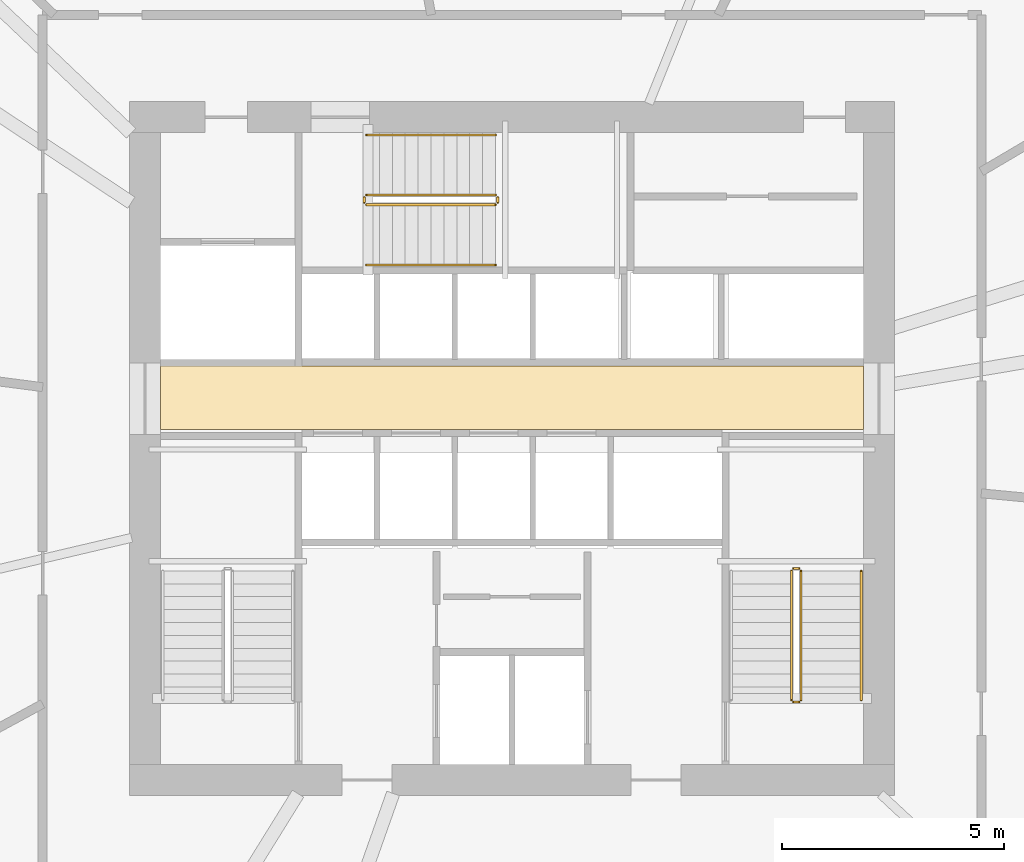
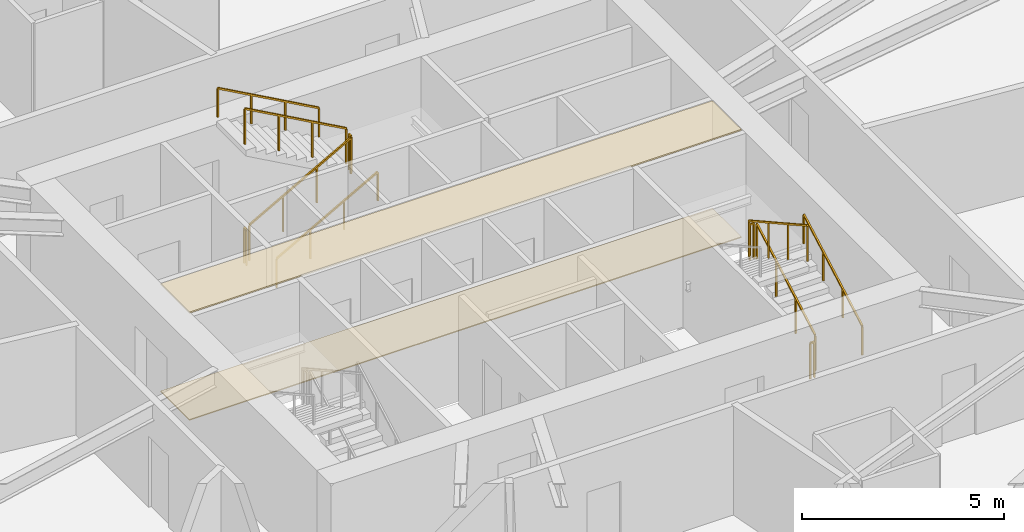
# One storey, part 20 of 21: 11 railings, 2 coverings.
"""IFC4 building model written with IfcOpenShell, lengths in metres."""

from ifc_helpers import new_model, si_unit, direction, frame, origin, origin_2d, place, context, subcontext, project, spatial, polyline, rectangle, outline, extrude, material, layer, layer_set, type_object, element, save


model = new_model("IFC4")

# Units and contexts
model_context = context("Model", 3, precision=1e-05, world=origin(), true_north=direction((0.0, 1.0)))
body_context = subcontext(model_context, "Body", "Model", "MODEL_VIEW")
ifc_project = project(units=[si_unit("LENGTHUNIT", "METRE"), si_unit("AREAUNIT", "SQUARE_METRE"), si_unit("VOLUMEUNIT", "CUBIC_METRE"), si_unit("PLANEANGLEUNIT", "RADIAN"), si_unit("MASSUNIT", "GRAM", prefix="KILO")], contexts=[model_context])

# Site, building, storey
site_placement = place(None, origin())
site = spatial("IfcSite", under=ifc_project, at=site_placement, CompositionType="ELEMENT")
building_placement = place(site_placement, origin())
building = spatial("IfcBuilding", under=site, at=building_placement, Name="Olszyna Solenne Hotel", CompositionType="ELEMENT")
storey_placement = place(building_placement, frame((0.0, 0.0, 91.5)))
storey = spatial("IfcBuildingStorey", under=building, at=storey_placement, Name="L23", CompositionType="ELEMENT", Elevation=91.5)

# Coverings
ifc_material_1 = material(Name="Mineral wool acoustic ceiling")
ifc_layer_1 = layer(ifc_material_1, 0.0400390625, Name="Mineral wool acoustic ceiling")
ifc_layer_set_1 = layer_set([ifc_layer_1], Name="Mineral wool acoustic ceiling")
covering_type_1 = type_object("IfcCoveringType", Name="CL-AC1", PredefinedType="CEILING", material=ifc_layer_set_1)
covering_1_placement = place(storey_placement, frame((0.0, 0.0, 3.239990234375)))
element("IfcCovering", 1, at=covering_1_placement, inside=storey, type_object=covering_type_1, Name="Lift lobby acoustic tile ceiling CL-L23-01", PredefinedType="CEILING", context=body_context, shape_type="SweptSolid", body=[
    extrude(outline(polyline([(30.10009765625, 27.030029296875), (45.89990234375, 27.030029296875), (45.89990234375, 28.4599609375), (30.10009765625, 28.4599609375), (30.10009765625, 27.030029296875)])), origin(), (0.0, 0.0, 1.0), 0.0400390625),
])
ifc_material_2 = material(Name="Ceramic floor tile")
ifc_layer_2 = layer(ifc_material_2, 0.030029296875, Name="Ceramic floor tile")
ifc_layer_set_2 = layer_set([ifc_layer_2], Name="Ceramic floor tile")
covering_type_2 = type_object("IfcCoveringType", Name="FL-TL1", PredefinedType="FLOORING", material=ifc_layer_set_2)
covering_2_placement = place(storey_placement, origin())
element("IfcCovering", 2, at=covering_2_placement, inside=storey, type_object=covering_type_2, Name="Lift lobby stoneware floor finish FLR-L23-01", PredefinedType="FLOORING", context=body_context, shape_type="SweptSolid", body=[
    extrude(outline(polyline([(30.10009765625, 27.030029296875), (45.89990234375, 27.030029296875), (45.89990234375, 28.4599609375), (30.10009765625, 28.4599609375), (30.10009765625, 27.030029296875)])), origin(), (0.0, 0.0, 1.0), 0.030029296875),
])

# Railings
ifc_material_3 = material(Name="Anodised bronze aluminium", Category="aluminium")
railing_type_1 = type_object("IfcRailingType", Name="GR-110", PredefinedType="BALUSTRADE", material=ifc_material_3)
railing_1_placement = place(storey_placement, frame((44.5, 20.949951171875, 0.161376953125)))
element("IfcRailing", 3, at=railing_1_placement, inside=storey, type_object=railing_type_1, Name="L23 ST2 stair guard 1", PredefinedType="BALUSTRADE", context=body_context, shape_type="SweptSolid", body=[
    extrude(rectangle(XDim=0.048095703125, YDim=0.048095703125, at=origin_2d()), frame((0.0, 0.0, 1.076171875), z_axis=(0.0, 0.873858693841, 0.486179990537), x_axis=(-1.0, 0.0, 0.0)), (0.0, 0.0, 1.0), 3.31884765625),
    extrude(rectangle(XDim=0.0419921875, YDim=0.0419921875, at=origin_2d()), origin(), (0.0, 0.0, 1.0), 1.052001953125),
    extrude(rectangle(XDim=0.0419921875, YDim=0.0419921875, at=origin_2d()), frame((0.0, 0.966796875, 0.537841796875)), (0.0, 0.0, 1.0), 1.052001953125),
    extrude(rectangle(XDim=0.0419921875, YDim=0.0419921875, at=origin_2d()), frame((0.0, 1.933349609375, 1.07568359375)), (0.0, 0.0, 1.0), 1.052001953125),
    extrude(rectangle(XDim=0.0419921875, YDim=0.0419921875, at=origin_2d()), frame((0.0, 2.900146484375, 1.613525390625)), (0.0, 0.0, 1.0), 1.052001953125),
])
railing_2_placement = place(storey_placement, frame((44.449951171875, 23.89990234375, 1.77490234375)))
element("IfcRailing", 4, at=railing_2_placement, inside=storey, type_object=railing_type_1, Name="L23 ST2 stair guard 2", PredefinedType="BALUSTRADE", context=body_context, shape_type="SweptSolid", body=[
    extrude(rectangle(XDim=0.048095703125, YDim=0.048095703125, at=origin_2d()), frame((0.0, 0.0, 1.076171875), z_axis=(-1.0, 0.0, 0.0), x_axis=(0.0, -1.0, 0.0)), (0.0, 0.0, 1.0), 0.119873046875),
    extrude(rectangle(XDim=0.0419921875, YDim=0.0419921875, at=origin_2d()), origin(), (0.0, 0.0, 1.0), 1.052001953125),
    extrude(rectangle(XDim=0.0419921875, YDim=0.0419921875, at=origin_2d()), frame((-0.119873046875, 0.0, 0.0)), (0.0, 0.0, 1.0), 1.052001953125),
])
railing_3_placement = place(storey_placement, frame((44.280029296875, 23.85009765625, 1.936279296875)))
element("IfcRailing", 5, at=railing_3_placement, inside=storey, type_object=railing_type_1, Name="L23 ST2 stair guard 3", PredefinedType="BALUSTRADE", context=body_context, shape_type="SweptSolid", body=[
    extrude(rectangle(XDim=0.048095703125, YDim=0.048095703125, at=origin_2d()), frame((0.0, 0.0, 1.076171875), z_axis=(0.0, -0.873827439584, 0.48623616261), x_axis=(1.0, 0.0, 0.0)), (0.0, 0.0, 1.0), 3.31884765625),
    extrude(rectangle(XDim=0.0419921875, YDim=0.0419921875, at=origin_2d()), origin(), (0.0, 0.0, 1.0), 1.052001953125),
    extrude(rectangle(XDim=0.0419921875, YDim=0.0419921875, at=origin_2d()), frame((0.0, -0.966796875, 0.537841796875)), (0.0, 0.0, 1.0), 1.052001953125),
    extrude(rectangle(XDim=0.0419921875, YDim=0.0419921875, at=origin_2d()), frame((0.0, -1.933349609375, 1.075927734375)), (0.0, 0.0, 1.0), 1.052001953125),
    extrude(rectangle(XDim=0.0419921875, YDim=0.0419921875, at=origin_2d()), frame((0.0, -2.900146484375, 1.61376953125)), (0.0, 0.0, 1.0), 1.052001953125),
])
railing_4_placement = place(storey_placement, frame((44.449951171875, 20.89990234375, 0.0)))
element("IfcRailing", 6, at=railing_4_placement, inside=storey, type_object=railing_type_1, Name="L23 ST2 stair guard 4", PredefinedType="BALUSTRADE", context=body_context, shape_type="SweptSolid", body=[
    extrude(rectangle(XDim=0.048095703125, YDim=0.048095703125, at=origin_2d()), frame((0.0, 0.0, 1.076171875), z_axis=(-1.0, 0.0, 0.0), x_axis=(0.0, -1.0, 0.0)), (0.0, 0.0, 1.0), 0.119873046875),
    extrude(rectangle(XDim=0.0419921875, YDim=0.0419921875, at=origin_2d()), origin(), (0.0, 0.0, 1.0), 1.052001953125),
    extrude(rectangle(XDim=0.0419921875, YDim=0.0419921875, at=origin_2d()), frame((-0.119873046875, 0.0, 0.0)), (0.0, 0.0, 1.0), 1.052001953125),
])
railing_5_placement = place(storey_placement, frame((34.72998046875, 32.080078125, 0.161376953125)))
element("IfcRailing", 7, at=railing_5_placement, inside=storey, type_object=railing_type_1, Name="L23 ST3 stair guard 1", PredefinedType="BALUSTRADE", context=body_context, shape_type="SweptSolid", body=[
    extrude(rectangle(XDim=0.048095703125, YDim=0.048095703125, at=origin_2d()), frame((0.0, 0.0, 1.076171875), z_axis=(0.873841303929, 0.0, 0.486211245805), x_axis=(0.0, 1.0, 0.0)), (0.0, 0.0, 1.0), 3.318603515625),
    extrude(rectangle(XDim=0.0419921875, YDim=0.0419921875, at=origin_2d()), origin(), (0.0, 0.0, 1.0), 1.052001953125),
    extrude(rectangle(XDim=0.0419921875, YDim=0.0419921875, at=origin_2d()), frame((0.966552734375, 0.0, 0.537841796875)), (0.0, 0.0, 1.0), 1.052001953125),
    extrude(rectangle(XDim=0.0419921875, YDim=0.0419921875, at=origin_2d()), frame((1.933349609375, 0.0, 1.07568359375)), (0.0, 0.0, 1.0), 1.052001953125),
    extrude(rectangle(XDim=0.0419921875, YDim=0.0419921875, at=origin_2d()), frame((2.89990234375, 0.0, 1.613525390625)), (0.0, 0.0, 1.0), 1.052001953125),
])
railing_6_placement = place(storey_placement, frame((37.679931640625, 32.1298828125, 1.77490234375)))
element("IfcRailing", 8, at=railing_6_placement, inside=storey, type_object=railing_type_1, Name="L23 ST3 stair guard 2", PredefinedType="BALUSTRADE", context=body_context, shape_type="SweptSolid", body=[
    extrude(rectangle(XDim=0.048095703125, YDim=0.048095703125, at=origin_2d()), frame((0.0, 0.0, 1.076171875), z_axis=(0.0, 1.0, 0.0), x_axis=(-1.0, 0.0, 0.0)), (0.0, 0.0, 1.0), 0.1201171875),
    extrude(rectangle(XDim=0.0419921875, YDim=0.0419921875, at=origin_2d()), origin(), (0.0, 0.0, 1.0), 1.052001953125),
    extrude(rectangle(XDim=0.0419921875, YDim=0.0419921875, at=origin_2d()), frame((0.0, 0.1201171875, 0.0)), (0.0, 0.0, 1.0), 1.052001953125),
])
railing_7_placement = place(storey_placement, frame((37.6298828125, 32.300048828125, 1.936279296875)))
element("IfcRailing", 9, at=railing_7_placement, inside=storey, type_object=railing_type_1, Name="L23 ST3 stair guard 3", PredefinedType="BALUSTRADE", context=body_context, shape_type="SweptSolid", body=[
    extrude(rectangle(XDim=0.048095703125, YDim=0.048095703125, at=origin_2d()), frame((0.0, 0.0, 1.076171875), z_axis=(-0.873810046276, 0.0, 0.486267419253), x_axis=(0.0, -1.0, 0.0)), (0.0, 0.0, 1.0), 3.318603515625),
    extrude(rectangle(XDim=0.0419921875, YDim=0.0419921875, at=origin_2d()), origin(), (0.0, 0.0, 1.0), 1.052001953125),
    extrude(rectangle(XDim=0.0419921875, YDim=0.0419921875, at=origin_2d()), frame((-0.966552734375, 0.0, 0.537841796875)), (0.0, 0.0, 1.0), 1.052001953125),
    extrude(rectangle(XDim=0.0419921875, YDim=0.0419921875, at=origin_2d()), frame((-1.933349609375, 0.0, 1.075927734375)), (0.0, 0.0, 1.0), 1.052001953125),
    extrude(rectangle(XDim=0.0419921875, YDim=0.0419921875, at=origin_2d()), frame((-2.89990234375, 0.0, 1.61376953125)), (0.0, 0.0, 1.0), 1.052001953125),
])
railing_8_placement = place(storey_placement, frame((34.679931640625, 32.1298828125, 0.0)))
element("IfcRailing", 10, at=railing_8_placement, inside=storey, type_object=railing_type_1, Name="L23 ST3 stair guard 4", PredefinedType="BALUSTRADE", context=body_context, shape_type="SweptSolid", body=[
    extrude(rectangle(XDim=0.048095703125, YDim=0.048095703125, at=origin_2d()), frame((0.0, 0.0, 1.076171875), z_axis=(0.0, 1.0, 0.0), x_axis=(-1.0, 0.0, 0.0)), (0.0, 0.0, 1.0), 0.1201171875),
    extrude(rectangle(XDim=0.0419921875, YDim=0.0419921875, at=origin_2d()), origin(), (0.0, 0.0, 1.0), 1.052001953125),
    extrude(rectangle(XDim=0.0419921875, YDim=0.0419921875, at=origin_2d()), frame((0.0, 0.1201171875, 0.0)), (0.0, 0.0, 1.0), 1.052001953125),
])
ifc_material_4 = material(Name="Steel S355J2", Category="steel")
railing_type_2 = type_object("IfcRailingType", Name="HR-090", PredefinedType="HANDRAIL", material=ifc_material_4)
railing_9_placement = place(storey_placement, frame((45.85009765625, 20.949951171875, 0.161376953125)))
element("IfcRailing", 11, at=railing_9_placement, inside=storey, type_object=railing_type_2, Name="L23 ST2 stair handrail 1", PredefinedType="HANDRAIL", context=body_context, shape_type="SweptSolid", body=[
    extrude(rectangle(XDim=0.048095703125, YDim=0.048095703125, at=origin_2d()), frame((0.0, 0.0, 0.8759765625), z_axis=(0.0, 0.873858693841, 0.486179990537), x_axis=(-1.0, 0.0, 0.0)), (0.0, 0.0, 1.0), 3.31884765625),
    extrude(rectangle(XDim=0.0419921875, YDim=0.0419921875, at=origin_2d()), origin(), (0.0, 0.0, 1.0), 0.851806640625),
    extrude(rectangle(XDim=0.0419921875, YDim=0.0419921875, at=origin_2d()), frame((0.0, 0.966796875, 0.537841796875)), (0.0, 0.0, 1.0), 0.851806640625),
    extrude(rectangle(XDim=0.0419921875, YDim=0.0419921875, at=origin_2d()), frame((0.0, 1.933349609375, 1.07568359375)), (0.0, 0.0, 1.0), 0.851806640625),
    extrude(rectangle(XDim=0.0419921875, YDim=0.0419921875, at=origin_2d()), frame((0.0, 2.900146484375, 1.613525390625)), (0.0, 0.0, 1.0), 0.851806640625),
])
railing_10_placement = place(storey_placement, frame((34.72998046875, 30.72998046875, 0.161376953125)))
element("IfcRailing", 12, at=railing_10_placement, inside=storey, type_object=railing_type_2, Name="L23 ST3 stair handrail 1", PredefinedType="HANDRAIL", context=body_context, shape_type="SweptSolid", body=[
    extrude(rectangle(XDim=0.048095703125, YDim=0.048095703125, at=origin_2d()), frame((0.0, 0.0, 0.8759765625), z_axis=(0.873841303929, 0.0, 0.486211245805), x_axis=(0.0, 1.0, 0.0)), (0.0, 0.0, 1.0), 3.318603515625),
    extrude(rectangle(XDim=0.0419921875, YDim=0.0419921875, at=origin_2d()), origin(), (0.0, 0.0, 1.0), 0.851806640625),
    extrude(rectangle(XDim=0.0419921875, YDim=0.0419921875, at=origin_2d()), frame((0.966552734375, 0.0, 0.537841796875)), (0.0, 0.0, 1.0), 0.851806640625),
    extrude(rectangle(XDim=0.0419921875, YDim=0.0419921875, at=origin_2d()), frame((1.933349609375, 0.0, 1.07568359375)), (0.0, 0.0, 1.0), 0.851806640625),
    extrude(rectangle(XDim=0.0419921875, YDim=0.0419921875, at=origin_2d()), frame((2.89990234375, 0.0, 1.613525390625)), (0.0, 0.0, 1.0), 0.851806640625),
])
railing_11_placement = place(storey_placement, frame((37.6298828125, 33.64990234375, 1.936279296875)))
element("IfcRailing", 13, at=railing_11_placement, inside=storey, type_object=railing_type_2, Name="L23 ST3 stair handrail 2", PredefinedType="HANDRAIL", context=body_context, shape_type="SweptSolid", body=[
    extrude(rectangle(XDim=0.048095703125, YDim=0.048095703125, at=origin_2d()), frame((0.0, 0.0, 0.8759765625), z_axis=(-0.873810046276, 0.0, 0.486267419253), x_axis=(0.0, -1.0, 0.0)), (0.0, 0.0, 1.0), 3.318603515625),
    extrude(rectangle(XDim=0.0419921875, YDim=0.0419921875, at=origin_2d()), origin(), (0.0, 0.0, 1.0), 0.851806640625),
    extrude(rectangle(XDim=0.0419921875, YDim=0.0419921875, at=origin_2d()), frame((-0.966552734375, 0.0, 0.537841796875)), (0.0, 0.0, 1.0), 0.851806640625),
    extrude(rectangle(XDim=0.0419921875, YDim=0.0419921875, at=origin_2d()), frame((-1.933349609375, 0.0, 1.075927734375)), (0.0, 0.0, 1.0), 0.851806640625),
    extrude(rectangle(XDim=0.0419921875, YDim=0.0419921875, at=origin_2d()), frame((-2.89990234375, 0.0, 1.61376953125)), (0.0, 0.0, 1.0), 0.851806640625),
])

save(model, "model.ifc")
